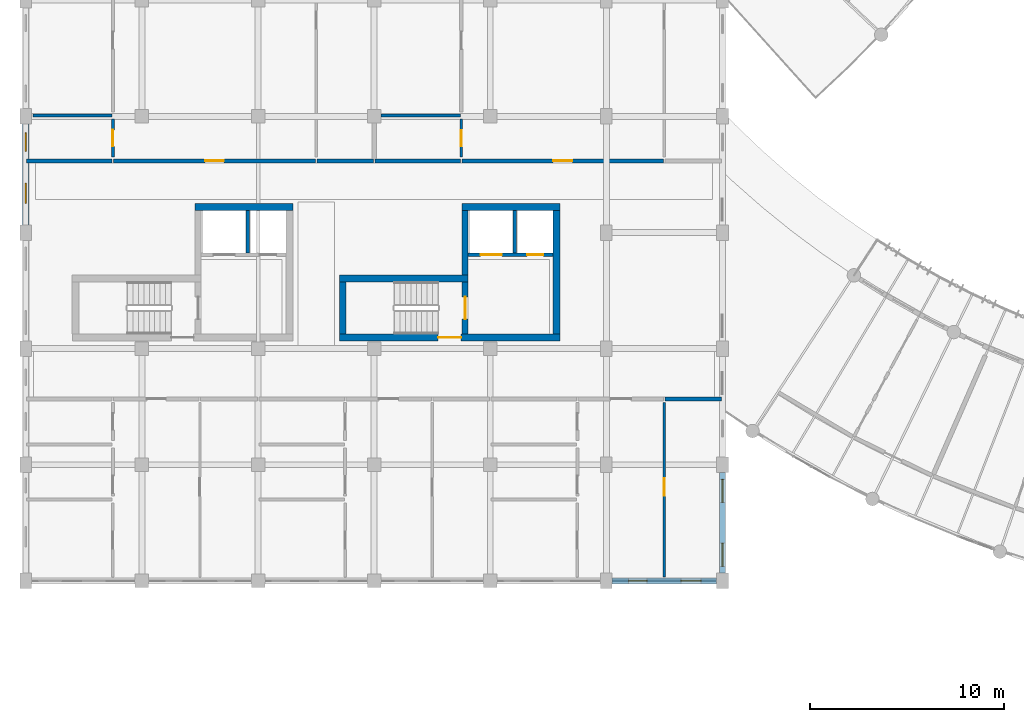
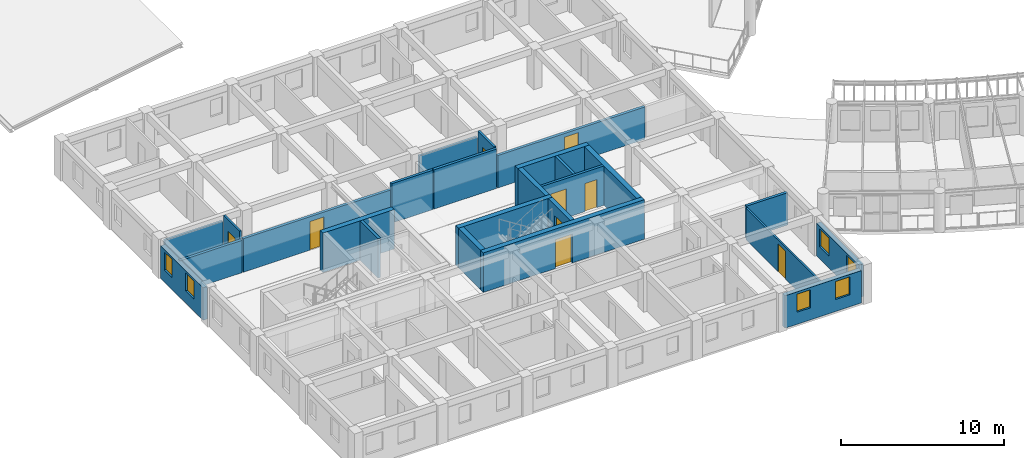
# One storey, part 88 of 137: 25 walls, 9 doors, 6 windows, 15 openings.
"""IFC4 building model written with IfcOpenShell, lengths in metres."""

from ifc_helpers import new_model, si_unit, direction, frame, frame_2d, origin, place, context, subcontext, project, spatial, rectangle, extrude, material, layer, layer_set, type_object, element, fill, save


model = new_model("IFC4")

# Units and contexts
model_context = context("Model", 3, precision=1e-05, world=origin(), true_north=direction((0.0, 1.0)))
body_context = subcontext(model_context, "Body", "Model", "MODEL_VIEW")
ifc_project = project(units=[si_unit("LENGTHUNIT", "METRE"), si_unit("AREAUNIT", "SQUARE_METRE"), si_unit("VOLUMEUNIT", "CUBIC_METRE"), si_unit("PLANEANGLEUNIT", "RADIAN"), si_unit("MASSUNIT", "GRAM", prefix="KILO"), si_unit("POWERUNIT", "WATT"), si_unit("THERMODYNAMICTEMPERATUREUNIT", "KELVIN")], contexts=[model_context])

# Site, building, storey
site_placement = place(None, origin())
site = spatial("IfcSite", under=ifc_project, at=site_placement, CompositionType="ELEMENT")
building_placement = place(site_placement, origin())
building = spatial("IfcBuilding", under=site, at=building_placement, Name="Ruvembo Vaulted Housing Court", CompositionType="ELEMENT")
storey_placement = place(building_placement, frame((0.0, 0.0, 4.5)))
storey = spatial("IfcBuildingStorey", under=building, at=storey_placement, Name="L01", CompositionType="ELEMENT", Elevation=4.5)

# Wall, opening, door
ifc_material_1 = material(Name="Concrete C35/45", Category="concrete")
ifc_layer_1 = layer(ifc_material_1, 0.300048828125, Name="Concrete C35/45")
ifc_layer_set_1 = layer_set([ifc_layer_1], Name="Concrete C35/45")
wall_type_1 = type_object("IfcWallType", Name="WL-CORE-300", PredefinedType="SHEAR", material=ifc_layer_set_1)
wall_1_placement = place(storey_placement, frame((22.699951171875, 18.75, 0.0), z_axis=(0.0, 0.0, 1.0), x_axis=(0.0, 1.0, 0.0)))
wall_1 = element("IfcWall", 1, at=wall_1_placement, inside=storey, type_object=wall_type_1, Name="Core A2 L01 Stair-Lobby Shear Wall", PredefinedType="SHEAR", context=body_context, shape_type="SweptSolid", body=[
    extrude(rectangle(XDim=2.699951171875, YDim=0.300048828125, at=frame_2d((1.35009765625, 0.0))), origin(), (0.0, 0.0, 1.0), 2.945068359375),
])
opening_1_placement = place(wall_1_placement, frame((0.77490234375, 0.0, 0.0)))
opening_1 = element("IfcOpeningElement", 2, at=opening_1_placement, cuts=wall_1, Name="Opening SD1", PredefinedType="OPENING", context=body_context, shape_type="SweptSolid", body=[
    extrude(rectangle(XDim=1.14990234375, YDim=2.14990234375, at=frame_2d((0.574951171875, 1.074951171875))), frame((0.0, 0.159912109375, 0.0), z_axis=(0.0, -1.0, 0.0), x_axis=(1.0, 0.0, 0.0)), (0.0, 0.0, 1.0), 0.320068359375),
])
ifc_material_2 = material(Name="Galvanised Painted Steel", Category="steel")
door_type_1 = type_object("IfcDoorType", Name="DR-STAIR-1150x2150", OperationType="NOTDEFINED", PredefinedType="DOOR", material=ifc_material_2)
door_1_placement = place(opening_1_placement, origin())
door_1 = element("IfcDoor", 3, at=door_1_placement, inside=storey, type_object=door_type_1, Name="Stair ST-A2 L01 Fire Door", OperationType="SINGLE_SWING_RIGHT", OverallHeight=2.14990234375, OverallWidth=1.14990234375, PredefinedType="DOOR", context=body_context, shape_type="SweptSolid", body=[
    extrude(rectangle(XDim=1.14990234375, YDim=2.14990234375, at=frame_2d((0.574951171875, 1.074951171875))), frame((0.0, 0.02490234375, 0.0), z_axis=(0.0, -1.0, 0.0), x_axis=(1.0, 0.0, 0.0)), (0.0, 0.0, 1.0), 0.050048828125),
])
fill(opening_1, door_1)

# Walls
wall_2_placement = place(storey_placement, frame((22.699951171875, 21.800048828125, 0.0), z_axis=(0.0, 0.0, 1.0), x_axis=(0.0, 1.0, 0.0)))
element("IfcWall", 4, at=wall_2_placement, inside=storey, type_object=wall_type_1, Name="Core A2 L01 Upper West Shear Wall", PredefinedType="SHEAR", context=body_context, shape_type="SweptSolid", body=[
    extrude(rectangle(XDim=3.349853515625, YDim=0.300048828125, at=frame_2d((1.6748046875, 0.0))), origin(), (0.0, 0.0, 1.0), 2.945068359375),
])
ifc_layer_2 = layer(ifc_material_1, 0.35009765625, Name="Concrete C35/45")
ifc_layer_set_2 = layer_set([ifc_layer_2], Name="Concrete C35/45")
wall_type_2 = type_object("IfcWallType", Name="WL-CORE-350", PredefinedType="SHEAR", material=ifc_layer_set_2)
wall_3_placement = place(storey_placement, frame((13.800048828125, 25.324951171875, 0.0), z_axis=(0.0, 0.0, 1.0), x_axis=(-1.0, 0.0, 0.0)))
element("IfcWall", 5, at=wall_3_placement, inside=storey, type_object=wall_type_2, Name="Core A1 L01 North Shear Wall", PredefinedType="SHEAR", context=body_context, shape_type="SweptSolid", body=[
    extrude(rectangle(XDim=5.050048828125, YDim=0.35009765625, at=frame_2d((2.52490234375, 0.0))), origin(), (0.0, 0.0, 1.0), 2.945068359375),
])

# Wall, opening, door
wall_4_placement = place(storey_placement, frame((16.199951171875, 18.574951171875, 0.0), z_axis=(0.0, 0.0, 1.0), x_axis=(1.0, 0.0, 0.0)))
wall_4 = element("IfcWall", 6, at=wall_4_placement, inside=storey, type_object=wall_type_2, Name="Core A2 L01 South Shear Wall", PredefinedType="SHEAR", context=body_context, shape_type="SweptSolid", body=[
    extrude(rectangle(XDim=11.400146484375, YDim=0.35009765625, at=frame_2d((5.7001953125, 0.0))), origin(), (0.0, 0.0, 1.0), 2.945068359375),
])
opening_2_placement = place(wall_4_placement, frame((5.10009765625, 0.0, 0.0)))
opening_2 = element("IfcOpeningElement", 7, at=opening_2_placement, cuts=wall_4, Name="Opening LD3", PredefinedType="OPENING", context=body_context, shape_type="SweptSolid", body=[
    extrude(rectangle(XDim=1.199951171875, YDim=2.14990234375, at=frame_2d((0.60009765625, 1.074951171875))), frame((0.0, 0.18505859375, 0.0), z_axis=(0.0, -1.0, 0.0), x_axis=(1.0, 0.0, 0.0)), (0.0, 0.0, 1.0), 0.3701171875),
])
door_type_2 = type_object("IfcDoorType", Name="DR-LOB-1200x2150", OperationType="NOTDEFINED", PredefinedType="DOOR", material=ifc_material_2)
door_2_placement = place(opening_2_placement, origin())
door_2 = element("IfcDoor", 8, at=door_2_placement, inside=storey, type_object=door_type_2, Name="Core A2 L01 Lobby Fire Door", OperationType="SINGLE_SWING_LEFT", OverallHeight=2.14990234375, OverallWidth=1.199951171875, PredefinedType="DOOR", context=body_context, shape_type="SweptSolid", body=[
    extrude(rectangle(XDim=1.199951171875, YDim=2.14990234375, at=frame_2d((0.60009765625, 1.074951171875))), frame((0.0, 0.02490234375, 0.0), z_axis=(0.0, -1.0, 0.0), x_axis=(1.0, 0.0, 0.0)), (0.0, 0.0, 1.0), 0.050048828125),
])
fill(opening_2, door_2)

# Walls
wall_5_placement = place(storey_placement, frame((22.85009765625, 21.625, 0.0), z_axis=(0.0, 0.0, 1.0), x_axis=(-1.0, 0.0, 0.0)))
element("IfcWall", 9, at=wall_5_placement, inside=storey, type_object=wall_type_2, Name="Core A2 L01 Stair North Shear Wall", PredefinedType="SHEAR", context=body_context, shape_type="SweptSolid", body=[
    extrude(rectangle(XDim=6.650146484375, YDim=0.35009765625, at=frame_2d((3.3251953125, 0.0))), origin(), (0.0, 0.0, 1.0), 2.945068359375),
])
wall_6_placement = place(storey_placement, frame((16.375, 21.449951171875, 0.0), z_axis=(0.0, 0.0, 1.0), x_axis=(0.0, -1.0, 0.0)))
element("IfcWall", 10, at=wall_6_placement, inside=storey, type_object=wall_type_2, Name="Core A2 L01 Stair West Shear Wall", PredefinedType="SHEAR", context=body_context, shape_type="SweptSolid", body=[
    extrude(rectangle(XDim=2.699951171875, YDim=0.35009765625, at=frame_2d((1.35009765625, 0.0))), origin(), (0.0, 0.0, 1.0), 2.945068359375),
])
wall_7_placement = place(storey_placement, frame((27.60009765625, 25.324951171875, 0.0), z_axis=(0.0, 0.0, 1.0), x_axis=(-1.0, 0.0, 0.0)))
element("IfcWall", 11, at=wall_7_placement, inside=storey, type_object=wall_type_2, Name="Core A2 L01 North Shear Wall", PredefinedType="SHEAR", context=body_context, shape_type="SweptSolid", body=[
    extrude(rectangle(XDim=5.050048828125, YDim=0.35009765625, at=frame_2d((2.52490234375, 0.0))), origin(), (0.0, 0.0, 1.0), 2.945068359375),
])
wall_8_placement = place(storey_placement, frame((27.425048828125, 18.75, 0.0), z_axis=(0.0, 0.0, 1.0), x_axis=(0.0, 1.0, 0.0)))
element("IfcWall", 12, at=wall_8_placement, inside=storey, type_object=wall_type_2, Name="Core A2 L01 East Shear Wall", PredefinedType="SHEAR", context=body_context, shape_type="SweptSolid", body=[
    extrude(rectangle(XDim=6.39990234375, YDim=0.35009765625, at=frame_2d((3.199951171875, 0.0))), origin(), (0.0, 0.0, 1.0), 2.945068359375),
])
ifc_material_3 = material(Name="Concrete Blockwork 190", Category="masonry")
ifc_layer_3 = layer(ifc_material_3, 0.18994140625, Name="Concrete Blockwork 190")
ifc_layer_set_3 = layer_set([ifc_layer_3], Name="Concrete Blockwork 190")
wall_type_3 = type_object("IfcWallType", Name="WL-CORR-190", PredefinedType="SOLIDWALL", material=ifc_layer_set_3)
wall_9_placement = place(storey_placement, frame((33.0400390625, 15.39990234375, 0.0), z_axis=(0.0, 0.0, 1.0), x_axis=(1.0, 0.0, 0.0)))
element("IfcWall", 13, at=wall_9_placement, inside=storey, type_object=wall_type_3, Name="L01 Flat A-L01-S3 Corridor Wall 2 WL-INT-L01-00205", PredefinedType="SOLIDWALL", context=body_context, shape_type="SweptSolid", body=[
    extrude(rectangle(XDim=2.919921875, YDim=0.18994140625, at=frame_2d((1.4599609375, 0.0))), origin(), (0.0, 0.0, 1.0), 2.427001953125),
])
wall_10_placement = place(storey_placement, frame((0.0400390625, 27.699951171875, 0.0), z_axis=(0.0, 0.0, 1.0), x_axis=(1.0, 0.0, 0.0)))
element("IfcWall", 14, at=wall_10_placement, inside=storey, type_object=wall_type_3, Name="L01 Flat A-L01-N1 Corridor Wall WL-INT-L01-00208", PredefinedType="SOLIDWALL", context=body_context, shape_type="SweptSolid", body=[
    extrude(rectangle(XDim=4.419921875, YDim=0.18994140625, at=frame_2d((2.2099609375, 0.0))), origin(), (0.0, 0.0, 1.0), 2.427001953125),
])

# Wall, opening, door
wall_11_placement = place(storey_placement, frame((4.5400390625, 27.699951171875, 0.0), z_axis=(0.0, 0.0, 1.0), x_axis=(1.0, 0.0, 0.0)))
wall_11 = element("IfcWall", 15, at=wall_11_placement, inside=storey, type_object=wall_type_3, Name="L01 Flat A-L01-N1 Entrance WL-INT-L01-00209", PredefinedType="SOLIDWALL", context=body_context, shape_type="SweptSolid", body=[
    extrude(rectangle(XDim=10.419921875, YDim=0.18994140625, at=frame_2d((5.2099609375, 0.0))), origin(), (0.0, 0.0, 1.0), 2.508056640625),
])
opening_3_placement = place(wall_11_placement, frame((4.719970703125, 0.0, 0.0)))
opening_3 = element("IfcOpeningElement", 16, at=opening_3_placement, cuts=wall_11, Name="Opening FD2", PredefinedType="OPENING", context=body_context, shape_type="SweptSolid", body=[
    extrude(rectangle(XDim=0.97998046875, YDim=2.14990234375, at=frame_2d((0.489990234375, 1.074951171875))), frame((0.0, 0.10498046875, 0.0), z_axis=(0.0, -1.0, 0.0), x_axis=(1.0, 0.0, 0.0)), (0.0, 0.0, 1.0), 0.2099609375),
])
ifc_material_4 = material(Name="FSC Hardwood and Engineered Timber", Category="wood")
door_type_3 = type_object("IfcDoorType", Name="DR-FLAT-0980x2150", OperationType="NOTDEFINED", PredefinedType="DOOR", material=ifc_material_4)
door_3_placement = place(opening_3_placement, origin())
door_3 = element("IfcDoor", 17, at=door_3_placement, inside=storey, type_object=door_type_3, Name="L01 Flat A-L01-N1 Entrance Door DR-INT-L01-00103", OperationType="SINGLE_SWING_LEFT", OverallHeight=2.14990234375, OverallWidth=0.97998046875, PredefinedType="DOOR", context=body_context, shape_type="SweptSolid", body=[
    extrude(rectangle(XDim=0.97998046875, YDim=2.14990234375, at=frame_2d((0.489990234375, 1.074951171875))), frame((0.0, 0.02490234375, 0.0), z_axis=(0.0, -1.0, 0.0), x_axis=(1.0, 0.0, 0.0)), (0.0, 0.0, 1.0), 0.050048828125),
])
fill(opening_3, door_3)

# Walls
wall_12_placement = place(storey_placement, frame((15.0400390625, 27.699951171875, 0.0), z_axis=(0.0, 0.0, 1.0), x_axis=(1.0, 0.0, 0.0)))
element("IfcWall", 18, at=wall_12_placement, inside=storey, type_object=wall_type_3, Name="L01 Flat A-L01-N1 Corridor Wall 2 WL-INT-L01-00215", PredefinedType="SOLIDWALL", context=body_context, shape_type="SweptSolid", body=[
    extrude(rectangle(XDim=2.919921875, YDim=0.18994140625, at=frame_2d((1.4599609375, 0.0))), origin(), (0.0, 0.0, 1.0), 2.945068359375),
])
wall_13_placement = place(storey_placement, frame((18.0400390625, 27.699951171875, 0.0), z_axis=(0.0, 0.0, 1.0), x_axis=(1.0, 0.0, 0.0)))
element("IfcWall", 19, at=wall_13_placement, inside=storey, type_object=wall_type_3, Name="L01 Flat A-L01-N2 Corridor Wall WL-INT-L01-00217", PredefinedType="SOLIDWALL", context=body_context, shape_type="SweptSolid", body=[
    extrude(rectangle(XDim=4.419921875, YDim=0.18994140625, at=frame_2d((2.2099609375, 0.0))), origin(), (0.0, 0.0, 1.0), 2.945068359375),
])

# Wall, opening, door
wall_14_placement = place(storey_placement, frame((22.5400390625, 27.699951171875, 0.0), z_axis=(0.0, 0.0, 1.0), x_axis=(1.0, 0.0, 0.0)))
wall_14 = element("IfcWall", 20, at=wall_14_placement, inside=storey, type_object=wall_type_3, Name="L01 Flat A-L01-N2 Entrance WL-INT-L01-00218", PredefinedType="SOLIDWALL", context=body_context, shape_type="SweptSolid", body=[
    extrude(rectangle(XDim=10.419921875, YDim=0.18994140625, at=frame_2d((5.2099609375, 0.0))), origin(), (0.0, 0.0, 1.0), 2.427001953125),
])
opening_4_placement = place(wall_14_placement, frame((4.7099609375, 0.0, 0.0)))
opening_4 = element("IfcOpeningElement", 21, at=opening_4_placement, cuts=wall_14, Name="Opening FD1", PredefinedType="OPENING", context=body_context, shape_type="SweptSolid", body=[
    extrude(rectangle(XDim=1.0, YDim=2.14990234375, at=frame_2d((0.5, 1.074951171875))), frame((0.0, 0.10498046875, 0.0), z_axis=(0.0, -1.0, 0.0), x_axis=(1.0, 0.0, 0.0)), (0.0, 0.0, 1.0), 0.2099609375),
])
door_type_4 = type_object("IfcDoorType", Name="DR-FLAT-1000x2150", OperationType="NOTDEFINED", PredefinedType="DOOR", material=ifc_material_4)
door_4_placement = place(opening_4_placement, origin())
door_4 = element("IfcDoor", 22, at=door_4_placement, inside=storey, type_object=door_type_4, Name="L01 Flat A-L01-N2 Entrance Door DR-INT-L01-00108", OperationType="SINGLE_SWING_RIGHT", OverallHeight=2.14990234375, OverallWidth=1.0, PredefinedType="DOOR", context=body_context, shape_type="SweptSolid", body=[
    extrude(rectangle(XDim=1.0, YDim=2.14990234375, at=frame_2d((0.5, 1.074951171875))), frame((0.0, 0.02490234375, 0.0), z_axis=(0.0, -1.0, 0.0), x_axis=(1.0, 0.0, 0.0)), (0.0, 0.0, 1.0), 0.050048828125),
])
fill(opening_4, door_4)

# Wall, openings, windows
ifc_material_5 = material(Name="Rendered Masonry 320", Category="masonry")
ifc_layer_4 = layer(ifc_material_5, 0.320068359375, Name="Rendered Masonry 320")
ifc_layer_set_4 = layer_set([ifc_layer_4], Name="Rendered Masonry 320")
wall_type_4 = type_object("IfcWallType", Name="WL-EXT-320", PredefinedType="STANDARD", material=ifc_layer_set_4)
wall_15_placement = place(storey_placement, frame((30.300048828125, 6.0, 0.0), z_axis=(0.0, 0.0, 1.0), x_axis=(1.0, 0.0, 0.0)))
wall_15 = element("IfcWall", 23, at=wall_15_placement, inside=storey, type_object=wall_type_4, Name="Block A L01 Exterior Wall STREET #6", PredefinedType="STANDARD", context=body_context, shape_type="SweptSolid", body=[
    extrude(rectangle(XDim=5.39990234375, YDim=0.320068359375, at=frame_2d((2.699951171875, 0.0))), origin(), (0.0, 0.0, 1.0), 2.427001953125),
])
opening_5_placement = place(wall_15_placement, frame((0.85498046875, 0.0, 0.89990234375)))
opening_5 = element("IfcOpeningElement", 24, at=opening_5_placement, cuts=wall_15, Name="Opening W07", PredefinedType="OPENING", context=body_context, shape_type="SweptSolid", body=[
    extrude(rectangle(XDim=0.949951171875, YDim=1.35009765625, at=frame_2d((0.47509765625, 0.675048828125))), frame((0.0, 0.169921875, 0.0), z_axis=(0.0, -1.0, 0.0), x_axis=(1.0, 0.0, 0.0)), (0.0, 0.0, 1.0), 0.340087890625),
])
opening_6_placement = place(wall_15_placement, frame((3.544921875, 0.0, 0.89990234375)))
opening_6 = element("IfcOpeningElement", 25, at=opening_6_placement, cuts=wall_15, Name="Opening W09", PredefinedType="OPENING", context=body_context, shape_type="SweptSolid", body=[
    extrude(rectangle(XDim=1.050048828125, YDim=1.35009765625, at=frame_2d((0.52490234375, 0.675048828125))), frame((0.0, 0.169921875, 0.0), z_axis=(0.0, -1.0, 0.0), x_axis=(1.0, 0.0, 0.0)), (0.0, 0.0, 1.0), 0.340087890625),
])
ifc_material_6 = material(Name="Double Solar-Control Glazing in Aluminium Frame", Category="aluminium")
window_type_1 = type_object("IfcWindowType", Name="WIN-0950x1350", PartitioningType="SINGLE_PANEL", PredefinedType="WINDOW", material=ifc_material_6)
window_1_placement = place(opening_5_placement, origin())
window_1 = element("IfcWindow", 26, at=window_1_placement, inside=storey, type_object=window_type_1, Name="Block A L01 Window #51", OverallHeight=1.35009765625, OverallWidth=0.949951171875, PartitioningType="SINGLE_PANEL", PredefinedType="WINDOW", context=body_context, shape_type="SweptSolid", body=[
    extrude(rectangle(XDim=0.949951171875, YDim=1.35009765625, at=frame_2d((0.47509765625, 0.675048828125))), frame((0.0, 0.030029296875, 0.0), z_axis=(0.0, -1.0, 0.0), x_axis=(1.0, 0.0, 0.0)), (0.0, 0.0, 1.0), 0.06005859375),
])
fill(opening_5, window_1)
window_type_2 = type_object("IfcWindowType", Name="WIN-1050x1350", PartitioningType="SINGLE_PANEL", PredefinedType="WINDOW", material=ifc_material_6)
window_2_placement = place(opening_6_placement, origin())
window_2 = element("IfcWindow", 27, at=window_2_placement, inside=storey, type_object=window_type_2, Name="Block A L01 Window #52", OverallHeight=1.35009765625, OverallWidth=1.050048828125, PartitioningType="SINGLE_PANEL", PredefinedType="WINDOW", context=body_context, shape_type="SweptSolid", body=[
    extrude(rectangle(XDim=1.050048828125, YDim=1.35009765625, at=frame_2d((0.52490234375, 0.675048828125))), frame((0.0, 0.030029296875, 0.0), z_axis=(0.0, -1.0, 0.0), x_axis=(1.0, 0.0, 0.0)), (0.0, 0.0, 1.0), 0.06005859375),
])
fill(opening_6, window_2)

wall_16_placement = place(storey_placement, frame((36.0, 6.39990234375, 0.0), z_axis=(0.0, 0.0, 1.0), x_axis=(0.0, 1.0, 0.0)))
wall_16 = element("IfcWall", 28, at=wall_16_placement, inside=storey, type_object=wall_type_4, Name="Block A L01 Exterior Wall EAST #1", PredefinedType="STANDARD", context=body_context, shape_type="SweptSolid", body=[
    extrude(rectangle(XDim=5.2001953125, YDim=0.320068359375, at=frame_2d((2.60009765625, 0.0))), origin(), (0.0, 0.0, 1.0), 2.427001953125),
])
opening_7_placement = place(wall_16_placement, frame((0.35009765625, 0.0, 0.89990234375)))
opening_7 = element("IfcOpeningElement", 29, at=opening_7_placement, cuts=wall_16, Name="Opening W12", PredefinedType="OPENING", context=body_context, shape_type="SweptSolid", body=[
    extrude(rectangle(XDim=1.199951171875, YDim=1.35009765625, at=frame_2d((0.60009765625, 0.675048828125))), frame((0.0, 0.169921875, 0.0), z_axis=(0.0, -1.0, 0.0), x_axis=(1.0, 0.0, 0.0)), (0.0, 0.0, 1.0), 0.340087890625),
])
opening_8_placement = place(wall_16_placement, frame((3.64990234375, 0.0, 0.89990234375)))
opening_8 = element("IfcOpeningElement", 30, at=opening_8_placement, cuts=wall_16, Name="Opening W12", PredefinedType="OPENING", context=body_context, shape_type="SweptSolid", body=[
    extrude(rectangle(XDim=1.199951171875, YDim=1.35009765625, at=frame_2d((0.60009765625, 0.675048828125))), frame((0.0, 0.169921875, 0.0), z_axis=(0.0, -1.0, 0.0), x_axis=(1.0, 0.0, 0.0)), (0.0, 0.0, 1.0), 0.340087890625),
])
window_type_3 = type_object("IfcWindowType", Name="WIN-1200x1350", PartitioningType="SINGLE_PANEL", PredefinedType="WINDOW", material=ifc_material_6)
window_3_placement = place(opening_7_placement, origin())
window_3 = element("IfcWindow", 31, at=window_3_placement, inside=storey, type_object=window_type_3, Name="Block A L01 Window #53", OverallHeight=1.35009765625, OverallWidth=1.199951171875, PartitioningType="SINGLE_PANEL", PredefinedType="WINDOW", context=body_context, shape_type="SweptSolid", body=[
    extrude(rectangle(XDim=1.199951171875, YDim=1.35009765625, at=frame_2d((0.60009765625, 0.675048828125))), frame((0.0, 0.030029296875, 0.0), z_axis=(0.0, -1.0, 0.0), x_axis=(1.0, 0.0, 0.0)), (0.0, 0.0, 1.0), 0.06005859375),
])
fill(opening_7, window_3)
window_4_placement = place(opening_8_placement, origin())
window_4 = element("IfcWindow", 32, at=window_4_placement, inside=storey, type_object=window_type_3, Name="Block A L01 Window #54", OverallHeight=1.35009765625, OverallWidth=1.199951171875, PartitioningType="SINGLE_PANEL", PredefinedType="WINDOW", context=body_context, shape_type="SweptSolid", body=[
    extrude(rectangle(XDim=1.199951171875, YDim=1.35009765625, at=frame_2d((0.60009765625, 0.675048828125))), frame((0.0, 0.030029296875, 0.0), z_axis=(0.0, -1.0, 0.0), x_axis=(1.0, 0.0, 0.0)), (0.0, 0.0, 1.0), 0.06005859375),
])
fill(opening_8, window_4)

wall_17_placement = place(storey_placement, frame((0.0, 29.60009765625, 0.0), z_axis=(0.0, 0.0, 1.0), x_axis=(0.0, -1.0, 0.0)))
wall_17 = element("IfcWall", 33, at=wall_17_placement, inside=storey, type_object=wall_type_4, Name="Block A L01 Exterior Wall WEST #3", PredefinedType="STANDARD", context=body_context, shape_type="SweptSolid", body=[
    extrude(rectangle(XDim=5.2001953125, YDim=0.320068359375, at=frame_2d((2.60009765625, 0.0))), origin(), (0.0, 0.0, 1.0), 2.427001953125),
])
opening_9_placement = place(wall_17_placement, frame((0.455078125, 0.0, 0.89990234375)))
opening_9 = element("IfcOpeningElement", 34, at=opening_9_placement, cuts=wall_17, Name="Opening W07", PredefinedType="OPENING", context=body_context, shape_type="SweptSolid", body=[
    extrude(rectangle(XDim=0.949951171875, YDim=1.35009765625, at=frame_2d((0.47509765625, 0.675048828125))), frame((0.0, 0.169921875, 0.0), z_axis=(0.0, -1.0, 0.0), x_axis=(1.0, 0.0, 0.0)), (0.0, 0.0, 1.0), 0.340087890625),
])
opening_10_placement = place(wall_17_placement, frame((3.044921875, 0.0, 0.89990234375)))
opening_10 = element("IfcOpeningElement", 35, at=opening_10_placement, cuts=wall_17, Name="Opening W09", PredefinedType="OPENING", context=body_context, shape_type="SweptSolid", body=[
    extrude(rectangle(XDim=1.050048828125, YDim=1.35009765625, at=frame_2d((0.52490234375, 0.675048828125))), frame((0.0, 0.169921875, 0.0), z_axis=(0.0, -1.0, 0.0), x_axis=(1.0, 0.0, 0.0)), (0.0, 0.0, 1.0), 0.340087890625),
])
window_5_placement = place(opening_9_placement, origin())
window_5 = element("IfcWindow", 36, at=window_5_placement, inside=storey, type_object=window_type_1, Name="Block A L01 Window #75", OverallHeight=1.35009765625, OverallWidth=0.949951171875, PartitioningType="SINGLE_PANEL", PredefinedType="WINDOW", context=body_context, shape_type="SweptSolid", body=[
    extrude(rectangle(XDim=0.949951171875, YDim=1.35009765625, at=frame_2d((0.47509765625, 0.675048828125))), frame((0.0, 0.030029296875, 0.0), z_axis=(0.0, -1.0, 0.0), x_axis=(1.0, 0.0, 0.0)), (0.0, 0.0, 1.0), 0.06005859375),
])
fill(opening_9, window_5)
window_6_placement = place(opening_10_placement, origin())
window_6 = element("IfcWindow", 37, at=window_6_placement, inside=storey, type_object=window_type_2, Name="Block A L01 Window #76", OverallHeight=1.35009765625, OverallWidth=1.050048828125, PartitioningType="SINGLE_PANEL", PredefinedType="WINDOW", context=body_context, shape_type="SweptSolid", body=[
    extrude(rectangle(XDim=1.050048828125, YDim=1.35009765625, at=frame_2d((0.52490234375, 0.675048828125))), frame((0.0, 0.030029296875, 0.0), z_axis=(0.0, -1.0, 0.0), x_axis=(1.0, 0.0, 0.0)), (0.0, 0.0, 1.0), 0.06005859375),
])
fill(opening_10, window_6)

# Wall, opening, door
ifc_material_7 = material(Name="Plasterboard Stud Partition 125", Category="gypsum")
ifc_layer_5 = layer(ifc_material_7, 0.125, Name="Plasterboard Stud Partition 125")
ifc_layer_set_5 = layer_set([ifc_layer_5], Name="Plasterboard Stud Partition 125")
wall_type_5 = type_object("IfcWallType", Name="WL-PART-125", PredefinedType="PARTITIONING", material=ifc_layer_set_5)
wall_18_placement = place(storey_placement, frame((33.0, 6.18994140625, 0.0), z_axis=(0.0, 0.0, 1.0), x_axis=(0.0, 1.0, 0.0)))
wall_18 = element("IfcWall", 38, at=wall_18_placement, inside=storey, type_object=wall_type_5, Name="L01 Flat A-L01-S3 Bedroom 2 WL-INT-L01-00206", PredefinedType="PARTITIONING", context=body_context, shape_type="SweptSolid", body=[
    extrude(rectangle(XDim=9.02001953125, YDim=0.125, at=frame_2d((4.510009765625, 0.0))), origin(), (0.0, 0.0, 1.0), 2.376953125),
])
opening_11_placement = place(wall_18_placement, frame((4.199951171875, 0.0, 0.0)))
opening_11 = element("IfcOpeningElement", 39, at=opening_11_placement, cuts=wall_18, Name="Opening ID1", PredefinedType="OPENING", context=body_context, shape_type="SweptSolid", body=[
    extrude(rectangle(XDim=0.89990234375, YDim=2.10009765625, at=frame_2d((0.449951171875, 1.050048828125))), frame((0.0, 0.072509765625, 0.0), z_axis=(0.0, -1.0, 0.0), x_axis=(1.0, 0.0, 0.0)), (0.0, 0.0, 1.0), 0.14501953125),
])
door_type_5 = type_object("IfcDoorType", Name="DR-ROOM-0900x2100", OperationType="NOTDEFINED", PredefinedType="DOOR", material=ifc_material_4)
door_5_placement = place(opening_11_placement, origin())
door_5 = element("IfcDoor", 40, at=door_5_placement, inside=storey, type_object=door_type_5, Name="L01 Flat A-L01-S3 Bedroom 2 Door DR-INT-L01-00102", OperationType="SINGLE_SWING_RIGHT", OverallHeight=2.10009765625, OverallWidth=0.89990234375, PredefinedType="DOOR", context=body_context, shape_type="SweptSolid", body=[
    extrude(rectangle(XDim=0.89990234375, YDim=2.10009765625, at=frame_2d((0.449951171875, 1.050048828125))), frame((0.0, 0.02490234375, 0.0), z_axis=(0.0, -1.0, 0.0), x_axis=(1.0, 0.0, 0.0)), (0.0, 0.0, 1.0), 0.050048828125),
])
fill(opening_11, door_5)

ifc_material_8 = material(Name="Moisture-Resistant Wet Partition 150", Category="gypsum")
ifc_layer_6 = layer(ifc_material_8, 0.14990234375, Name="Moisture-Resistant Wet Partition 150")
ifc_layer_set_6 = layer_set([ifc_layer_6], Name="Moisture-Resistant Wet Partition 150")
wall_type_6 = type_object("IfcWallType", Name="WL-PART-150", PredefinedType="PARTITIONING", material=ifc_layer_set_6)
wall_19_placement = place(storey_placement, frame((4.5, 27.889892578125, 0.0), z_axis=(0.0, 0.0, 1.0), x_axis=(0.0, 1.0, 0.0)))
wall_19 = element("IfcWall", 41, at=wall_19_placement, inside=storey, type_object=wall_type_6, Name="L01 Flat A-L01-N1 Bathroom WL-INT-L01-00212", PredefinedType="PARTITIONING", context=body_context, shape_type="SweptSolid", body=[
    extrude(rectangle(XDim=1.97021484375, YDim=0.14990234375, at=frame_2d((0.985107421875, 0.0))), origin(), (0.0, 0.0, 1.0), 2.945068359375),
])
opening_12_placement = place(wall_19_placement, frame((0.56005859375, 0.0, 0.0)))
opening_12 = element("IfcOpeningElement", 42, at=opening_12_placement, cuts=wall_19, Name="Opening ID2", PredefinedType="OPENING", context=body_context, shape_type="SweptSolid", body=[
    extrude(rectangle(XDim=0.85009765625, YDim=2.10009765625, at=frame_2d((0.425048828125, 1.050048828125))), frame((0.0, 0.0849609375, 0.0), z_axis=(0.0, -1.0, 0.0), x_axis=(1.0, 0.0, 0.0)), (0.0, 0.0, 1.0), 0.169921875),
])
door_type_6 = type_object("IfcDoorType", Name="DR-WET-0850x2100", OperationType="NOTDEFINED", PredefinedType="DOOR", material=ifc_material_4)
door_6_placement = place(opening_12_placement, origin())
door_6 = element("IfcDoor", 43, at=door_6_placement, inside=storey, type_object=door_type_6, Name="L01 Flat A-L01-N1 Bathroom Door DR-INT-L01-00106", OperationType="SINGLE_SWING_RIGHT", OverallHeight=2.10009765625, OverallWidth=0.85009765625, PredefinedType="DOOR", context=body_context, shape_type="SweptSolid", body=[
    extrude(rectangle(XDim=0.85009765625, YDim=2.10009765625, at=frame_2d((0.425048828125, 1.050048828125))), frame((0.0, 0.02490234375, 0.0), z_axis=(0.0, -1.0, 0.0), x_axis=(1.0, 0.0, 0.0)), (0.0, 0.0, 1.0), 0.050048828125),
])
fill(opening_12, door_6)

# Wall
wall_20_placement = place(storey_placement, frame((0.360107421875, 30.050048828125, 0.0), z_axis=(0.0, 0.0, 1.0), x_axis=(1.0, 0.0, 0.0)))
element("IfcWall", 44, at=wall_20_placement, inside=storey, type_object=wall_type_6, Name="L01 Flat A-L01-N1 Wet Wall 2 WL-INT-L01-00214", PredefinedType="PARTITIONING", context=body_context, shape_type="SweptSolid", body=[
    extrude(rectangle(XDim=4.099853515625, YDim=0.14990234375, at=frame_2d((2.0498046875, 0.0))), origin(), (0.0, 0.0, 1.0), 2.427001953125),
])

# Wall, opening, door
wall_21_placement = place(storey_placement, frame((22.5, 27.889892578125, 0.0), z_axis=(0.0, 0.0, 1.0), x_axis=(0.0, 1.0, 0.0)))
wall_21 = element("IfcWall", 45, at=wall_21_placement, inside=storey, type_object=wall_type_6, Name="L01 Flat A-L01-N2 Bathroom WL-INT-L01-00221", PredefinedType="PARTITIONING", context=body_context, shape_type="SweptSolid", body=[
    extrude(rectangle(XDim=1.97021484375, YDim=0.14990234375, at=frame_2d((0.985107421875, 0.0))), origin(), (0.0, 0.0, 1.0), 2.945068359375),
])
opening_13_placement = place(wall_21_placement, frame((0.574951171875, 0.0, 0.0)))
opening_13 = element("IfcOpeningElement", 46, at=opening_13_placement, cuts=wall_21, Name="Opening ID4", PredefinedType="OPENING", context=body_context, shape_type="SweptSolid", body=[
    extrude(rectangle(XDim=0.820068359375, YDim=2.080078125, at=frame_2d((0.41015625, 1.0400390625))), frame((0.0, 0.0849609375, 0.0), z_axis=(0.0, -1.0, 0.0), x_axis=(1.0, 0.0, 0.0)), (0.0, 0.0, 1.0), 0.169921875),
])
door_type_7 = type_object("IfcDoorType", Name="DR-WET-0820x2080", OperationType="NOTDEFINED", PredefinedType="DOOR", material=ifc_material_4)
door_7_placement = place(opening_13_placement, origin())
door_7 = element("IfcDoor", 47, at=door_7_placement, inside=storey, type_object=door_type_7, Name="L01 Flat A-L01-N2 Bathroom Door DR-INT-L01-00111", OperationType="SINGLE_SWING_LEFT", OverallHeight=2.080078125, OverallWidth=0.820068359375, PredefinedType="DOOR", context=body_context, shape_type="SweptSolid", body=[
    extrude(rectangle(XDim=0.820068359375, YDim=2.080078125, at=frame_2d((0.41015625, 1.0400390625))), frame((0.0, 0.02490234375, 0.0), z_axis=(0.0, -1.0, 0.0), x_axis=(1.0, 0.0, 0.0)), (0.0, 0.0, 1.0), 0.050048828125),
])
fill(opening_13, door_7)

# Walls
wall_22_placement = place(storey_placement, frame((18.360107421875, 30.050048828125, 0.0), z_axis=(0.0, 0.0, 1.0), x_axis=(1.0, 0.0, 0.0)))
element("IfcWall", 48, at=wall_22_placement, inside=storey, type_object=wall_type_6, Name="L01 Flat A-L01-N2 Wet Wall 2 WL-INT-L01-00223", PredefinedType="PARTITIONING", context=body_context, shape_type="SweptSolid", body=[
    extrude(rectangle(XDim=4.099853515625, YDim=0.14990234375, at=frame_2d((2.0498046875, 0.0))), origin(), (0.0, 0.0, 1.0), 2.427001953125),
])
ifc_material_9 = material(Name="Fire-Rated Masonry Shaft 180", Category="masonry")
ifc_layer_7 = layer(ifc_material_9, 0.179931640625, Name="Fire-Rated Masonry Shaft 180")
ifc_layer_set_7 = layer_set([ifc_layer_7], Name="Fire-Rated Masonry Shaft 180")
wall_type_7 = type_object("IfcWallType", Name="WL-SHAFT-180", PredefinedType="SOLIDWALL", material=ifc_layer_set_7)
wall_23_placement = place(storey_placement, frame((11.469970703125, 22.93994140625, 0.0), z_axis=(0.0, 0.0, 1.0), x_axis=(0.0, 1.0, 0.0)))
element("IfcWall", 49, at=wall_23_placement, inside=storey, type_object=wall_type_7, Name="Core A1 L01 Shaft-Riser Divider Wall", PredefinedType="SOLIDWALL", context=body_context, shape_type="SweptSolid", body=[
    extrude(rectangle(XDim=2.2099609375, YDim=0.179931640625, at=frame_2d((1.10498046875, 0.0))), origin(), (0.0, 0.0, 1.0), 2.945068359375),
])

# Wall, openings, doors
wall_24_placement = place(storey_placement, frame((22.85009765625, 22.85009765625, 0.0), z_axis=(0.0, 0.0, 1.0), x_axis=(1.0, 0.0, 0.0)))
wall_24 = element("IfcWall", 50, at=wall_24_placement, inside=storey, type_object=wall_type_7, Name="Core A2 L01 Lift and Riser Front Wall", PredefinedType="SOLIDWALL", context=body_context, shape_type="SweptSolid", body=[
    extrude(rectangle(XDim=4.39990234375, YDim=0.179931640625, at=frame_2d((2.199951171875, 0.0))), origin(), (0.0, 0.0, 1.0), 2.945068359375),
])
opening_14_placement = place(wall_24_placement, frame((0.64990234375, 0.0, 0.0)))
opening_14 = element("IfcOpeningElement", 51, at=opening_14_placement, cuts=wall_24, Name="Opening LD-FL-A2-L01", PredefinedType="OPENING", context=body_context, shape_type="SweptSolid", body=[
    extrude(rectangle(XDim=1.10009765625, YDim=2.14990234375, at=frame_2d((0.550048828125, 1.074951171875))), frame((0.0, 0.099853515625, 0.0), z_axis=(0.0, -1.0, 0.0), x_axis=(1.0, 0.0, 0.0)), (0.0, 0.0, 1.0), 0.199951171875),
])
opening_15_placement = place(wall_24_placement, frame((3.050048828125, 0.0, 0.0)))
opening_15 = element("IfcOpeningElement", 52, at=opening_15_placement, cuts=wall_24, Name="Opening RD1", PredefinedType="OPENING", context=body_context, shape_type="SweptSolid", body=[
    extrude(rectangle(XDim=0.85009765625, YDim=2.10009765625, at=frame_2d((0.425048828125, 1.050048828125))), frame((0.0, 0.099853515625, 0.0), z_axis=(0.0, -1.0, 0.0), x_axis=(1.0, 0.0, 0.0)), (0.0, 0.0, 1.0), 0.199951171875),
])
ifc_material_10 = material(Name="Brushed Stainless Steel 304", Category="steel")
door_type_8 = type_object("IfcDoorType", Name="DR-LIFT-1100x2150", OperationType="NOTDEFINED", PredefinedType="DOOR", material=ifc_material_10)
door_8_placement = place(opening_14_placement, origin())
door_8 = element("IfcDoor", 53, at=door_8_placement, inside=storey, type_object=door_type_8, Name="Lift FL-A2 L01 Sliding Landing Door", OperationType="SLIDING_TO_LEFT", OverallHeight=2.14990234375, OverallWidth=1.10009765625, PredefinedType="DOOR", context=body_context, shape_type="SweptSolid", body=[
    extrude(rectangle(XDim=1.10009765625, YDim=2.14990234375, at=frame_2d((0.550048828125, 1.074951171875))), frame((0.0, 0.02490234375, 0.0), z_axis=(0.0, -1.0, 0.0), x_axis=(1.0, 0.0, 0.0)), (0.0, 0.0, 1.0), 0.050048828125),
])
fill(opening_14, door_8)
door_type_9 = type_object("IfcDoorType", Name="DR-RISER-0850x2100", OperationType="NOTDEFINED", PredefinedType="DOOR", material=ifc_material_2)
door_9_placement = place(opening_15_placement, frame((0.85009765625, 0.0, 0.0), z_axis=(0.0, 0.0, 1.0), x_axis=(-1.0, 0.0, 0.0)))
door_9 = element("IfcDoor", 54, at=door_9_placement, inside=storey, type_object=door_type_9, Name="Core A2 L01 Service Riser Door", OperationType="SINGLE_SWING_LEFT", OverallHeight=2.10009765625, OverallWidth=0.85009765625, PredefinedType="DOOR", context=body_context, shape_type="SweptSolid", body=[
    extrude(rectangle(XDim=0.85009765625, YDim=2.10009765625, at=frame_2d((0.425048828125, 1.050048828125))), frame((0.0, 0.02490234375, 0.0), z_axis=(0.0, -1.0, 0.0), x_axis=(1.0, 0.0, 0.0)), (0.0, 0.0, 1.0), 0.050048828125),
])
fill(opening_15, door_9)

# Wall
wall_25_placement = place(storey_placement, frame((25.27001953125, 22.93994140625, 0.0), z_axis=(0.0, 0.0, 1.0), x_axis=(0.0, 1.0, 0.0)))
element("IfcWall", 55, at=wall_25_placement, inside=storey, type_object=wall_type_7, Name="Core A2 L01 Shaft-Riser Divider Wall", PredefinedType="SOLIDWALL", context=body_context, shape_type="SweptSolid", body=[
    extrude(rectangle(XDim=2.2099609375, YDim=0.179931640625, at=frame_2d((1.10498046875, 0.0))), origin(), (0.0, 0.0, 1.0), 2.945068359375),
])

save(model, "model.ifc")
